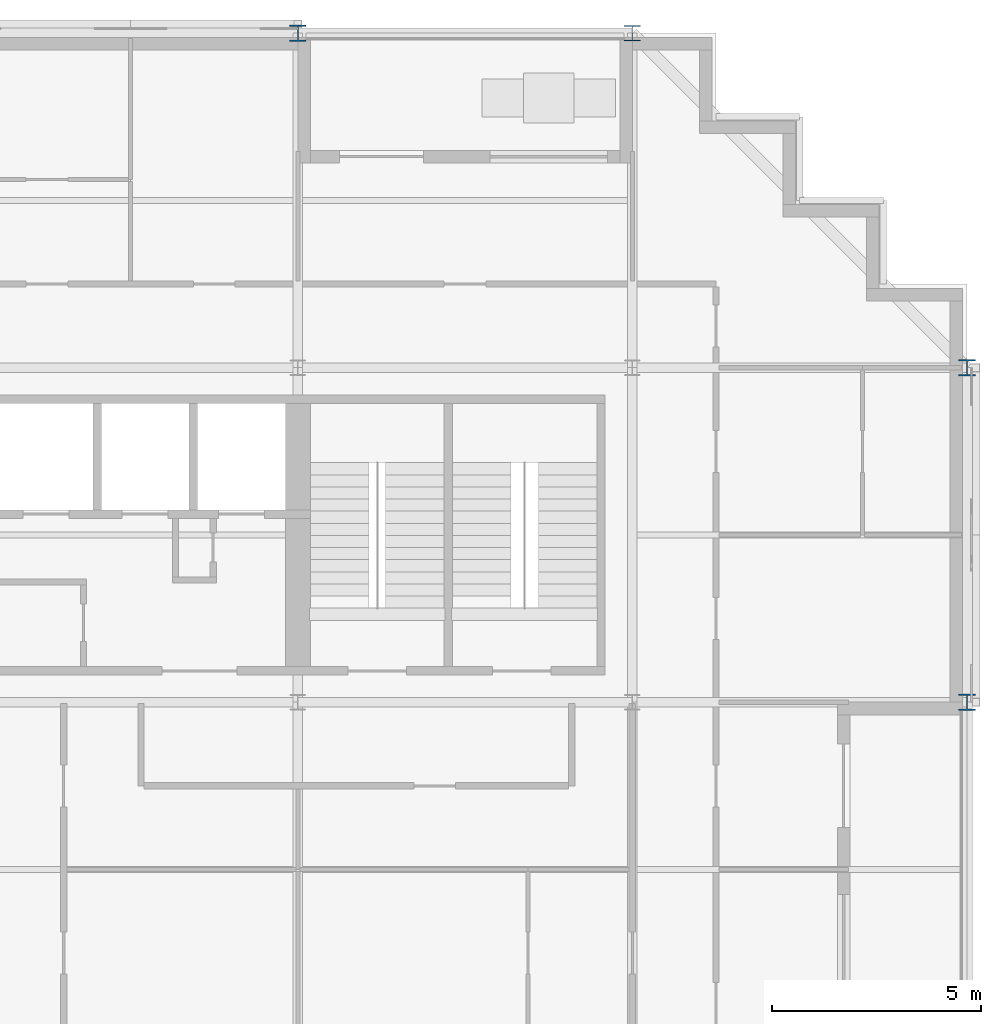
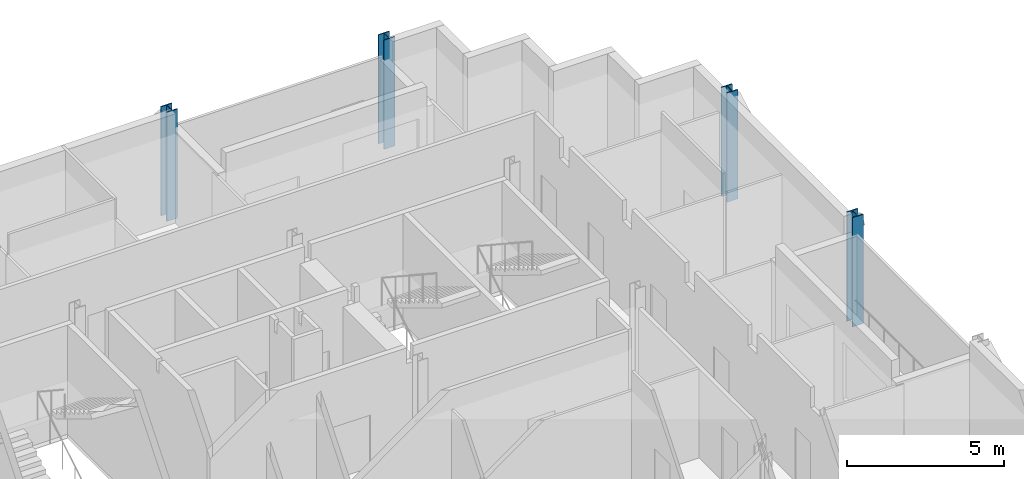
# One storey, part 3 of 15: 4 columns.
"""IFC4 building model written with IfcOpenShell, lengths in metres."""

from ifc_helpers import new_model, si_unit, direction, frame, origin, origin_2d, place, context, subcontext, project, spatial, i_section, extrude, material, material_profile, profile_set, type_object, element, save


model = new_model("IFC4")

# Units and contexts
model_context = context("Model", 3, precision=1e-05, world=origin(), true_north=direction((0.0, 1.0)))
body_context = subcontext(model_context, "Body", "Model", "MODEL_VIEW")
ifc_project = project(units=[si_unit("LENGTHUNIT", "METRE"), si_unit("AREAUNIT", "SQUARE_METRE"), si_unit("VOLUMEUNIT", "CUBIC_METRE"), si_unit("PLANEANGLEUNIT", "RADIAN"), si_unit("MASSUNIT", "GRAM", prefix="KILO")], contexts=[model_context])

# Site, building, storey
site_placement = place(None, origin())
site = spatial("IfcSite", under=ifc_project, at=site_placement, CompositionType="ELEMENT")
building_placement = place(site_placement, origin())
building = spatial("IfcBuilding", under=site, at=building_placement, Name="Immortelle Media Tower", CompositionType="ELEMENT")
storey_placement = place(building_placement, frame((0.0, 0.0, 65.60009765625)))
storey = spatial("IfcBuildingStorey", under=building, at=storey_placement, Name="L11", CompositionType="ELEMENT", Elevation=65.60009765625)

# Columns
ifc_material = material(Name="Steel ASTM A992 Gr 50", Category="steel")
ifc_material_profile_1 = material_profile(ifc_material, i_section(OverallWidth=0.39404296875, OverallDepth=0.3759765625, WebThickness=0.01708984375, FlangeThickness=0.028076171875, at=origin_2d()), Name="W14x145")
ifc_profile_set_1 = profile_set([ifc_material_profile_1], Name="Steel ASTM A992 Gr 50")
column_type_1 = type_object("IfcColumnType", Name="W14x145 column", PredefinedType="COLUMN", material=ifc_profile_set_1)
column_placement = place(storey_placement, frame((40.0, 48.0, 0.0), z_axis=(0.0, 0.0, 1.0), x_axis=(1.0, 0.0, 0.0)))
element("IfcColumn", 1, at=column_placement, inside=storey, type_object=column_type_1, Name="Column 6/G", PredefinedType="COLUMN", context=body_context, shape_type="SweptSolid", body=[
    extrude(i_section(OverallWidth=0.39404296875, OverallDepth=0.3759765625, WebThickness=0.01708984375, FlangeThickness=0.028076171875, at=origin_2d()), origin(), (0.0, 0.0, 1.0), 4.25),
])
ifc_material_profile_2 = material_profile(ifc_material, i_section(OverallWidth=0.40087890625, OverallDepth=0.39892578125, WebThickness=0.02490234375, FlangeThickness=0.0400390625, at=origin_2d()), Name="W14x211")
ifc_profile_set_2 = profile_set([ifc_material_profile_2], Name="Steel ASTM A992 Gr 50")
column_type_2 = type_object("IfcColumnType", Name="W14x211 column", PredefinedType="COLUMN", material=ifc_profile_set_2)
for number, where, z_axis, x_axis, name in (
    (2, (32.0, 48.0, 0.0), (0.0, 0.0, 1.0), (1.0, 0.0, 0.0), "Column 5/G"),
    (3, (48.0, 32.0, 0.0), (0.0, 0.0, 1.0), (1.0, 0.0, 0.0), "Column 7/E"),
    (4, (48.0, 40.0, 0.0), (0.0, 0.0, 1.0), (1.0, 0.0, 0.0), "Column 7/F"),
):
    element("IfcColumn", number, at=place(storey_placement, frame(where, z_axis=z_axis, x_axis=x_axis)), inside=storey, type_object=column_type_2, Name=name, PredefinedType="COLUMN", context=body_context, shape_type="SweptSolid", body=[
        extrude(i_section(OverallWidth=0.40087890625, OverallDepth=0.39892578125, WebThickness=0.02490234375, FlangeThickness=0.0400390625, at=origin_2d()), origin(), (0.0, 0.0, 1.0), 4.25),
    ])

save(model, "model.ifc")
